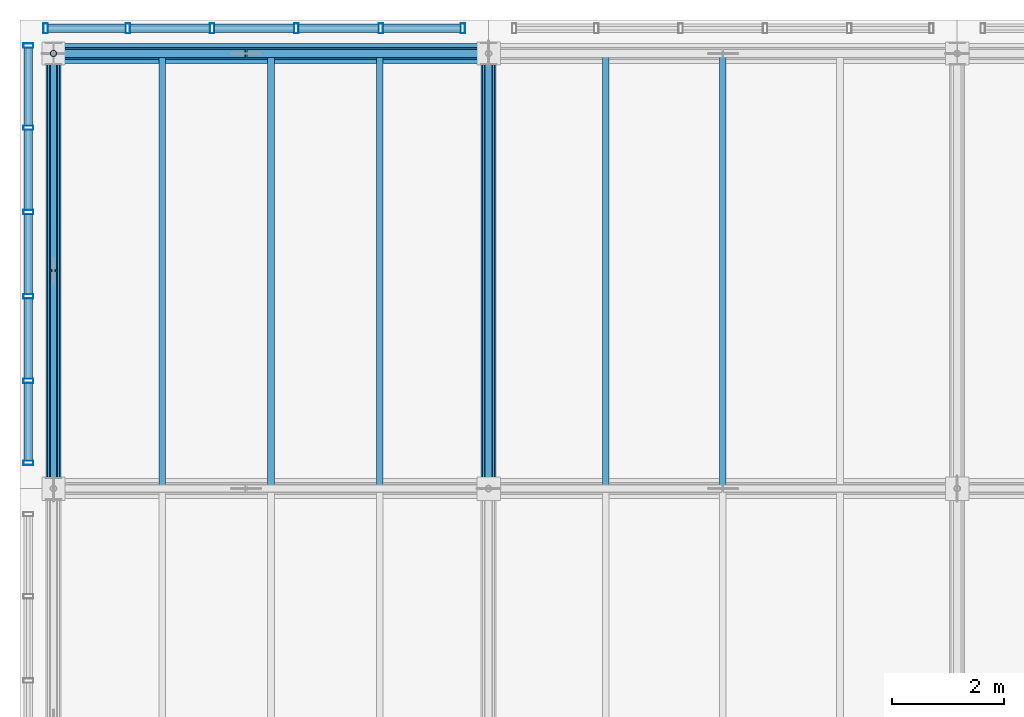
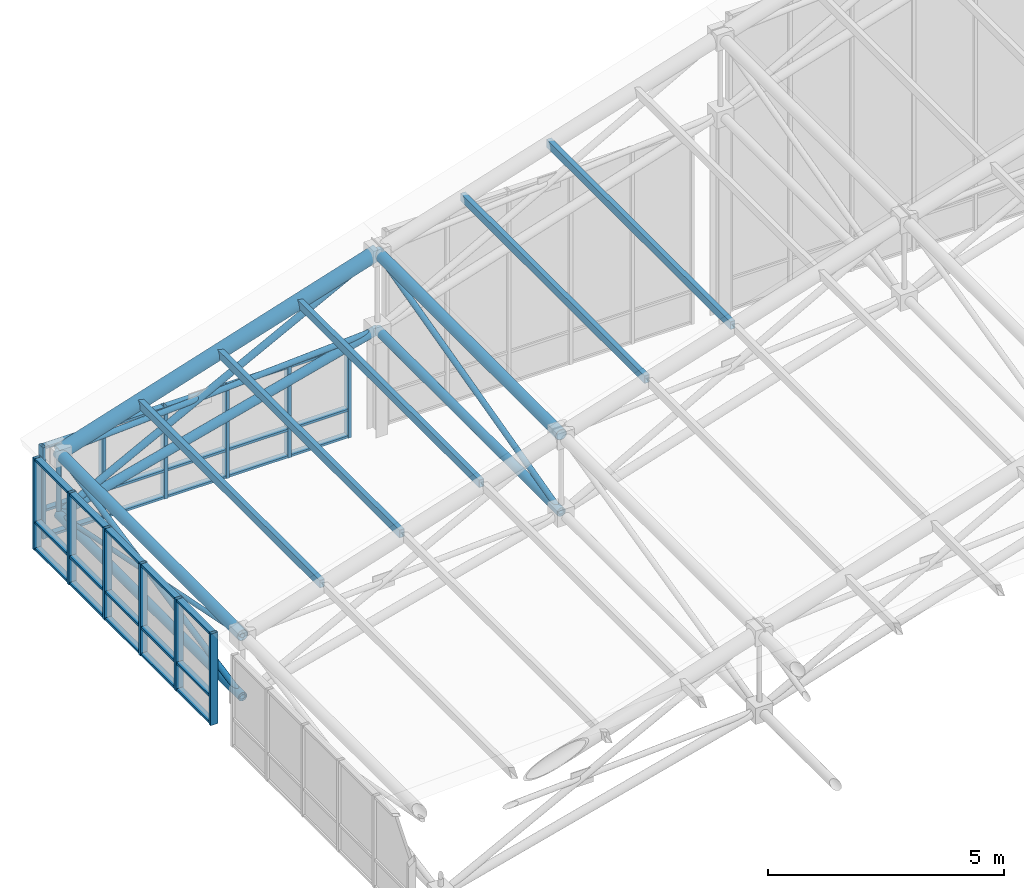
# One storey, part 63 of 144: 61 members, 2 elements without a shape of their own.
"""IFC4 building model written with IfcOpenShell, lengths in metres."""

import ifcopenshell
import ifcopenshell.guid

model = None  # the IFC model being written
_history = None  # IfcOwnerHistory: only IFC2X3 demands one
_inside = {}  # id of a spatial element -> (the spatial element, [elements in it])
_under = {}  # id of a project, library or spatial element -> (it, [spatial elements below it])
_declared = {}  # id of a project -> (the project, [libraries it declares])
_typed = {}  # id of a type object -> (the type object, [elements of that type])
_made_of = {}  # id of a material, layer set ... -> (it, [elements and type objects made of it])


def new_model(schema):
    """Start an empty IFC model of exactly this schema.

    Asked for "IFC4X3", IfcOpenShell would pick the latest addendum, in which some entities
    have other attributes; the version numbers below select the first issue.
    IFC2X3 requires an IfcOwnerHistory on every rooted entity: one is made here for all.
    """
    global model, _history
    if schema == "IFC4X3":
        model = ifcopenshell.file(schema_version=(4, 3, 0, 0))
    else:
        model = ifcopenshell.file(schema=schema)
    _inside.clear()
    _under.clear()
    _declared.clear()
    _typed.clear()
    _made_of.clear()
    _history = None
    if model.schema == "IFC2X3":
        org = make("IfcOrganization", Name="unknown")
        user = make(
            "IfcPersonAndOrganization",
            ThePerson=make("IfcPerson", FamilyName="unknown"),
            TheOrganization=org,
        )
        app = make(
            "IfcApplication",
            ApplicationDeveloper=org,
            Version="unknown",
            ApplicationFullName="unknown",
            ApplicationIdentifier="unknown",
        )
        _history = make(
            "IfcOwnerHistory",
            OwningUser=user,
            OwningApplication=app,
            ChangeAction="ADDED",
            CreationDate=0,
        )
    return model


def make(cls, **values):
    """One entity of the class cls with the attributes given. An attribute that is None is left unset."""
    return model.create_entity(
        cls, **{name: value for name, value in values.items() if value is not None}
    )


def rooted(cls, **values):
    """An entity with a GlobalId (a new one), such as an element, a storey or a relation."""
    return make(cls, GlobalId=ifcopenshell.guid.new(), OwnerHistory=_history, **values)


def si_unit(unit_type, name, prefix=None):
    """IfcSIUnit, for example si_unit("LENGTHUNIT", "METRE", prefix="MILLI")."""
    return make("IfcSIUnit", UnitType=unit_type, Prefix=prefix, Name=name)


def assignment(units):
    """IfcUnitAssignment: the units of a project."""
    return None if units is None else make("IfcUnitAssignment", Units=units)


def point(xyz):
    """IfcCartesianPoint."""
    return None if xyz is None else make("IfcCartesianPoint", Coordinates=xyz)


def direction(xyz):
    """IfcDirection."""
    return None if xyz is None else make("IfcDirection", DirectionRatios=xyz)


def frame(location, z_axis=None, x_axis=None):
    """IfcAxis2Placement3D, a coordinate frame: its origin and axes. An axis left out is left unset."""
    return make(
        "IfcAxis2Placement3D",
        Location=point(location),
        Axis=direction(z_axis),
        RefDirection=direction(x_axis),
    )


def frame_2d(location, x_axis=None):
    """IfcAxis2Placement2D, a coordinate frame in the plane: its origin and x axis."""
    return make(
        "IfcAxis2Placement2D", Location=point(location), RefDirection=direction(x_axis)
    )


def origin():
    """The frame at (0, 0, 0) with its axes left unset."""
    return frame((0.0, 0.0, 0.0))


def origin_2d():
    """The frame at (0, 0) in the plane with its x axis left unset."""
    return frame_2d((0.0, 0.0))


def place(relative_to, where):
    """IfcLocalPlacement: puts the frame where relative to a parent placement (None: the world)."""
    return make(
        "IfcLocalPlacement", PlacementRelTo=relative_to, RelativePlacement=where
    )


def context(
    kind, dimensions, precision=None, world=None, true_north=None, identifier=None
):
    """IfcGeometricRepresentationContext, for example the 3D "Model" context."""
    return make(
        "IfcGeometricRepresentationContext",
        ContextIdentifier=identifier,
        ContextType=kind,
        CoordinateSpaceDimension=dimensions,
        Precision=precision,
        WorldCoordinateSystem=world,
        TrueNorth=true_north,
    )


def subcontext(parent, identifier, kind, view, scale=None):
    """IfcGeometricRepresentationSubContext, for example "Body" below "Model"."""
    return make(
        "IfcGeometricRepresentationSubContext",
        ContextIdentifier=identifier,
        ContextType=kind,
        ParentContext=parent,
        TargetScale=scale,
        TargetView=view,
    )


def project(units=None, contexts=None):
    """IfcProject with its units and contexts."""
    return rooted(
        "IfcProject",
        Name="project",
        RepresentationContexts=contexts,
        UnitsInContext=assignment(units),
    )


def spatial(cls, under=None, at=None, **own):
    """A site, building, storey or space (cls), placed at a placement, below another one or the project."""
    s = rooted(cls, ObjectPlacement=at, **own)
    if under is not None:
        _under.setdefault(under.id(), (under, []))[1].append(s)
    return s


def profile(cls, at=None, kind="AREA", **sizes):
    """A parametric profile (cls). Its sizes go by their IFC names, for example OverallWidth=200.0."""
    return make(cls, ProfileType=kind, Position=at, **sizes)


def hollow_rectangle(**sizes):
    """IfcRectangleHollowProfileDef."""
    return profile("IfcRectangleHollowProfileDef", **sizes)


def hollow_circle(**sizes):
    """IfcCircleHollowProfileDef."""
    return profile("IfcCircleHollowProfileDef", **sizes)


def extrude(swept, where, along, depth):
    """IfcExtrudedAreaSolid: the profile swept, set in the frame where, extruded along a direction by depth."""
    return make(
        "IfcExtrudedAreaSolid",
        SweptArea=swept,
        Position=where,
        ExtrudedDirection=direction(along),
        Depth=depth,
    )


def shape(context_of_items, identifier, shape_type, items):
    """IfcShapeRepresentation: the items that make up one representation, for example the "Body"."""
    return make(
        "IfcShapeRepresentation",
        ContextOfItems=context_of_items,
        RepresentationIdentifier=identifier,
        RepresentationType=shape_type,
        Items=items,
    )


def material(Name=None, Category=None):
    """IfcMaterial."""
    return make("IfcMaterial", Name=Name, Category=Category)


def layer(
    of_material, thickness, ventilated=None, Name=None, Category=None, Priority=None
):
    """IfcMaterialLayer: one layer of a wall or slab, of a material (None: an air gap)."""
    return make(
        "IfcMaterialLayer",
        Material=of_material,
        LayerThickness=thickness,
        IsVentilated=ventilated,
        Name=Name,
        Category=Category,
        Priority=Priority,
    )


def layer_set(layers, Name=None):
    """IfcMaterialLayerSet."""
    return make("IfcMaterialLayerSet", MaterialLayers=layers, LayerSetName=Name)


def material_profile(
    of_material, cross_section, Name=None, Category=None, Priority=None
):
    """IfcMaterialProfile: a cross section and its material."""
    return make(
        "IfcMaterialProfile",
        Name=Name,
        Material=of_material,
        Profile=cross_section,
        Priority=Priority,
        Category=Category,
    )


def profile_set(profiles, Name=None, composite=None):
    """IfcMaterialProfileSet."""
    return make(
        "IfcMaterialProfileSet",
        Name=Name,
        MaterialProfiles=profiles,
        CompositeProfile=composite,
    )


def made_of(thing, what):
    """Note that an element or type object is made of a material, layer set ...; save() writes the relation."""
    if what is not None:
        _made_of.setdefault(what.id(), (what, []))[1].append(thing)
    return thing


def type_object(cls, material=None, **own):
    """A type object (cls), such as IfcWallType, which elements share."""
    return made_of(rooted(cls, **own), material)


def element(
    cls,
    number,
    at=None,
    inside=None,
    cuts=None,
    type_object=None,
    material=None,
    context=None,
    identifier="Body",
    shape_type=None,
    held_by="IfcProductDefinitionShape",
    body=None,
    shapes=None,
    **own,
):
    """One element of the class cls, such as IfcWall. Its Tag is "e" and its number.

    at: its placement. inside: the storey or other place that contains it. cuts: it is an
    opening in that element (IfcRelVoidsElement). A single representation is given by context,
    identifier, shape_type and body (its items); several are given by shapes. held_by: the class
    of the entity that holds the representations. save() writes the other relations.
    """
    e = rooted(cls, Tag="e%d" % number, ObjectPlacement=at, **own)
    if body is not None:
        shapes = [shape(context, identifier, shape_type, body)]
    if shapes is not None:
        e.Representation = make(held_by, Representations=shapes)
    if inside is not None:
        _inside.setdefault(inside.id(), (inside, []))[1].append(e)
    if cuts is not None:
        rooted(
            "IfcRelVoidsElement", RelatingBuildingElement=cuts, RelatedOpeningElement=e
        )
    if type_object is not None:
        _typed.setdefault(type_object.id(), (type_object, []))[1].append(e)
    return made_of(e, material)


def aggregate(whole, parts):
    """IfcRelAggregates: a whole, such as a stair, and the parts it consists of."""
    return rooted("IfcRelAggregates", RelatingObject=whole, RelatedObjects=parts)


def save(model, path):
    """Write the relations noted so far, then the file.

    IfcRelAggregates (storeys below a building ...), IfcRelContainedInSpatialStructure (elements
    in a storey), IfcRelDefinesByType, IfcRelAssociatesMaterial and IfcRelDeclares: one each for
    every whole, place, type object, material and project.
    """
    for whole, parts in _under.values():
        aggregate(whole, parts)
    for where, things in _inside.values():
        rooted(
            "IfcRelContainedInSpatialStructure",
            RelatedElements=things,
            RelatingStructure=where,
        )
    for kind, things in _typed.values():
        rooted("IfcRelDefinesByType", RelatedObjects=things, RelatingType=kind)
    for what, things in _made_of.values():
        rooted("IfcRelAssociatesMaterial", RelatedObjects=things, RelatingMaterial=what)
    for by, libraries in _declared.values():
        rooted("IfcRelDeclares", RelatingContext=by, RelatedDefinitions=libraries)
    model.write(path)


model = new_model("IFC4")

# Units and contexts
model_context = context("Model", 3, precision=1e-05, world=origin(), true_north=direction((0.0, 1.0)))
body_context = subcontext(model_context, "Body", "Model", "MODEL_VIEW")
ifc_project = project(units=[si_unit("LENGTHUNIT", "METRE"), si_unit("AREAUNIT", "SQUARE_METRE"), si_unit("VOLUMEUNIT", "CUBIC_METRE"), si_unit("PLANEANGLEUNIT", "RADIAN"), si_unit("MASSUNIT", "GRAM", prefix="KILO")], contexts=[model_context])

# Site, building, storey
site_placement = place(None, origin())
site = spatial("IfcSite", under=ifc_project, at=site_placement, CompositionType="ELEMENT")
building_placement = place(site_placement, origin())
building = spatial("IfcBuilding", under=site, at=building_placement, Name="Zayran Congress Hotel", CompositionType="ELEMENT")
storey_placement = place(building_placement, frame((0.0, 0.0, 19.199951171875)))
storey = spatial("IfcBuildingStorey", under=building, at=storey_placement, Name="L04", CompositionType="ELEMENT", Elevation=19.199951171875)

# Members
ifc_material_1 = material(Name="Steel S355", Category="steel")
ifc_material_profile_1 = material_profile(ifc_material_1, hollow_circle(Radius=0.177734375, WallThickness=0.01611328125, at=origin_2d()), Name="CHS 355.6x16")
ifc_profile_set_1 = profile_set([ifc_material_profile_1], Name="Steel S355")
member_type_1 = type_object("IfcMemberType", Name="TP-SF-TC1", PredefinedType="CHORD", material=ifc_profile_set_1)
member_1_placement = place(storey_placement, frame((9.0, 117.39990234375, 2.19140625), z_axis=(0.953669693314, 0.0, 0.300855639892), x_axis=(0.0, 1.0, 0.0)))
element("IfcMember", 1, at=member_1_placement, inside=storey, type_object=member_type_1, Name="Space Frame Top Chord X 55", PredefinedType="CHORD", context=body_context, shape_type="SweptSolid", body=[
    extrude(hollow_circle(Radius=0.177734375, WallThickness=0.01611328125, at=origin_2d()), origin(), (0.0, 0.0, 1.0), 8.178955078125),
])
ifc_material_profile_2 = material_profile(ifc_material_1, hollow_circle(Radius=0.136474609375, WallThickness=0.012451171875, at=origin_2d()), Name="CHS 273x12.5")
ifc_profile_set_2 = profile_set([ifc_material_profile_2], Name="Steel S355")
member_type_2 = type_object("IfcMemberType", Name="TP-SF-TC2", PredefinedType="CHORD", material=ifc_profile_set_2)
for number, where, z_axis, x_axis, name in (
    (2, (9.0, 109.60009765625, 2.19140625), (0.0, 1.0, 0.0), (-1.0, 0.0, 0.0), "Space Frame Top Chord Y 50"),
    (3, (16.800048828125, 109.60009765625, 4.652099609375), (0.0, 1.0, 0.0), (-1.0, 0.0, 0.0), "Space Frame Top Chord Y 104"),
):
    element("IfcMember", number, at=place(storey_placement, frame(where, z_axis=z_axis, x_axis=x_axis)), inside=storey, type_object=member_type_2, Name=name, PredefinedType="CHORD", context=body_context, shape_type="SweptSolid", body=[
        extrude(hollow_circle(Radius=0.136474609375, WallThickness=0.012451171875, at=origin_2d()), origin(), (0.0, 0.0, 1.0), 7.7998046875),
    ])
ifc_material_profile_3 = material_profile(ifc_material_1, hollow_circle(Radius=0.109619140625, WallThickness=0.010009765625, at=origin_2d()), Name="CHS 219.1x10")
ifc_profile_set_3 = profile_set([ifc_material_profile_3], Name="Steel S355")
member_type_3 = type_object("IfcMemberType", Name="TP-SF-BC1", PredefinedType="CHORD", material=ifc_profile_set_3)
member_2_placement = place(storey_placement, frame((9.0, 109.60009765625, 0.60009765625), z_axis=(0.0, 1.0, 0.0), x_axis=(-1.0, 0.0, 0.0)))
element("IfcMember", 4, at=member_2_placement, inside=storey, type_object=member_type_3, Name="Space Frame Bottom Chord Y 51", PredefinedType="CHORD", context=body_context, shape_type="SweptSolid", body=[
    extrude(hollow_circle(Radius=0.109619140625, WallThickness=0.010009765625, at=origin_2d()), origin(), (0.0, 0.0, 1.0), 7.7998046875),
])
member_3_placement = place(storey_placement, frame((9.0, 117.39990234375, 0.60009765625), z_axis=(0.967153699015, 0.0, 0.254192294301), x_axis=(0.0, 1.0, 0.0)))
element("IfcMember", 5, at=member_3_placement, inside=storey, type_object=member_type_3, Name="Space Frame Bottom Chord X 56", PredefinedType="CHORD", context=body_context, shape_type="SweptSolid", body=[
    extrude(hollow_circle(Radius=0.109619140625, WallThickness=0.010009765625, at=origin_2d()), origin(), (0.0, 0.0, 1.0), 8.06494140625),
])
member_4_placement = place(storey_placement, frame((16.800048828125, 109.60009765625, 2.650146484375), z_axis=(0.0, 1.0, 0.0), x_axis=(-1.0, 0.0, 0.0)))
element("IfcMember", 6, at=member_4_placement, inside=storey, type_object=member_type_3, Name="Space Frame Bottom Chord Y 105", PredefinedType="CHORD", context=body_context, shape_type="SweptSolid", body=[
    extrude(hollow_circle(Radius=0.109619140625, WallThickness=0.010009765625, at=origin_2d()), origin(), (0.0, 0.0, 1.0), 7.7998046875),
])
ifc_material_profile_4 = material_profile(ifc_material_1, hollow_circle(Radius=0.084228515625, WallThickness=0.008056640625, at=origin_2d()), Name="CHS 168.3x8")
ifc_profile_set_4 = profile_set([ifc_material_profile_4], Name="Steel S355")
member_type_4 = type_object("IfcMemberType", Name="TP-SF-DG1", PredefinedType="BRACE", material=ifc_profile_set_4)
member_5_placement = place(storey_placement, frame((9.0, 117.39990234375, 0.60009765625), z_axis=(0.887404091239, 0.0, 0.46099238481), x_axis=(0.0, 1.0, 0.0)))
element("IfcMember", 7, at=member_5_placement, inside=storey, type_object=member_type_4, Name="Space Frame Web Diagonal X 57", PredefinedType="BRACE", context=body_context, shape_type="SweptSolid", body=[
    extrude(hollow_circle(Radius=0.084228515625, WallThickness=0.008056640625, at=origin_2d()), origin(), (0.0, 0.0, 1.0), 8.789794921875),
])
ifc_material_profile_5 = material_profile(ifc_material_1, hollow_circle(Radius=0.06982421875, WallThickness=0.00634765625, at=origin_2d()), Name="CHS 139.7x6.3")
ifc_profile_set_5 = profile_set([ifc_material_profile_5], Name="Steel S355")
member_type_5 = type_object("IfcMemberType", Name="TP-SF-DG2", PredefinedType="BRACE", material=ifc_profile_set_5)
member_6_placement = place(storey_placement, frame((9.0, 109.60009765625, 0.60009765625), z_axis=(0.0, 0.979816074487, 0.199901126002), x_axis=(-1.0, 0.0, 0.0)))
element("IfcMember", 8, at=member_6_placement, inside=storey, type_object=member_type_5, Name="Space Frame Web Diagonal Y 52", PredefinedType="BRACE", context=body_context, shape_type="SweptSolid", body=[
    extrude(hollow_circle(Radius=0.06982421875, WallThickness=0.00634765625, at=origin_2d()), origin(), (0.0, 0.0, 1.0), 7.96044921875),
])
member_7_placement = place(storey_placement, frame((9.0, 117.39990234375, 2.19140625), z_axis=(0.998277060117, 0.0, 0.0586763261), x_axis=(0.0, 1.0, 0.0)))
element("IfcMember", 9, at=member_7_placement, inside=storey, type_object=member_type_5, Name="Space Frame Counter Diagonal X Upper 58", PredefinedType="BRACE", context=body_context, shape_type="SweptSolid", body=[
    extrude(hollow_circle(Radius=0.06982421875, WallThickness=0.00634765625, at=origin_2d()), origin(), (0.0, 0.0, 1.0), 3.445068359375),
])
member_8_placement = place(storey_placement, frame((12.46923828125, 117.39990234375, 2.395263671875), z_axis=(0.99827262625, 0.0, 0.058751712149), x_axis=(0.0, 1.0, 0.0)))
element("IfcMember", 10, at=member_8_placement, inside=storey, type_object=member_type_5, Name="Space Frame Counter Diagonal X Lower 13", PredefinedType="BRACE", context=body_context, shape_type="SweptSolid", body=[
    extrude(hollow_circle(Radius=0.06982421875, WallThickness=0.00634765625, at=origin_2d()), origin(), (0.0, 0.0, 1.0), 4.33837890625),
])
member_9_placement = place(storey_placement, frame((16.800048828125, 109.60009765625, 2.650146484375), z_axis=(0.0, 0.968603987179, 0.248608760951), x_axis=(-1.0, 0.0, 0.0)))
element("IfcMember", 11, at=member_9_placement, inside=storey, type_object=member_type_5, Name="Space Frame Web Diagonal Y 106", PredefinedType="BRACE", context=body_context, shape_type="SweptSolid", body=[
    extrude(hollow_circle(Radius=0.06982421875, WallThickness=0.00634765625, at=origin_2d()), origin(), (0.0, 0.0, 1.0), 8.052734375),
])
ifc_material_profile_6 = material_profile(ifc_material_1, hollow_circle(Radius=0.05712890625, WallThickness=0.00634765625, at=origin_2d()), Name="CHS 114.3x6.3")
ifc_profile_set_6 = profile_set([ifc_material_profile_6], Name="Steel S355")
member_type_6 = type_object("IfcMemberType", Name="TP-SF-DG3", PredefinedType="BRACE", material=ifc_profile_set_6)
for number, where, z_axis, x_axis, name in (
    (12, (9.0, 109.60009765625, 2.19140625), (0.0, 0.979813166371, -0.199915379616), (-1.0, 0.0, 0.0), "Space Frame Bracing Diagonal Y Upper 53"),
    (13, (9.0, 113.5146484375, 1.392822265625), (0.0, 0.979813166371, -0.199915379616), (-1.0, 0.0, 0.0), "Space Frame Bracing Diagonal Y Lower 12"),
):
    element("IfcMember", number, at=place(storey_placement, frame(where, z_axis=z_axis, x_axis=x_axis)), inside=storey, type_object=member_type_6, Name=name, PredefinedType="BRACE", context=body_context, shape_type="SweptSolid", body=[
        extrude(hollow_circle(Radius=0.05712890625, WallThickness=0.00634765625, at=origin_2d()), origin(), (0.0, 0.0, 1.0), 3.96533203125),
    ])
member_10_placement = place(storey_placement, frame((9.0, 117.39990234375, 0.60009765625), z_axis=(0.0, 0.0, 1.0), x_axis=(0.0, 1.0, 0.0)))
element("IfcMember", 14, at=member_10_placement, inside=storey, type_object=member_type_6, Name="Space Frame Web Strut 59", PredefinedType="BRACE", context=body_context, shape_type="SweptSolid", body=[
    extrude(hollow_circle(Radius=0.05712890625, WallThickness=0.00634765625, at=origin_2d()), origin(), (0.0, 0.0, 1.0), 1.59130859375),
])
ifc_material_profile_7 = material_profile(ifc_material_1, hollow_rectangle(XDim=0.1201171875, YDim=0.199951171875, WallThickness=0.008056640625, at=origin_2d()), Name="RHS 200x120x8")
ifc_profile_set_7 = profile_set([ifc_material_profile_7], Name="Steel S355")
member_type_7 = type_object("IfcMemberType", Name="TP-PR-01", PredefinedType="PURLIN", material=ifc_profile_set_7)
for number, where, z_axis, x_axis, name in (
    (15, (10.949951171875, 109.60009765625, 2.8486328125), (0.0, 1.0, 0.0), (-1.0, 0.0, 0.0), "MEM-PR-V1-0006"),
    (16, (12.89990234375, 109.60009765625, 3.4638671875), (0.0, 1.0, 0.0), (-1.0, 0.0, 0.0), "MEM-PR-V1-0012"),
    (17, (14.85009765625, 109.60009765625, 4.078857421875), (0.0, 1.0, 0.0), (-1.0, 0.0, 0.0), "MEM-PR-V1-0018"),
    (18, (18.89990234375, 109.60009765625, 5.3564453125), (0.0, 1.0, 0.0), (-1.0, 0.0, 0.0), "MEM-PR-V1-0024"),
    (19, (21.0, 109.60009765625, 6.01904296875), (0.0, 1.0, 0.0), (-1.0, 0.0, 0.0), "MEM-PR-V1-0030"),
):
    element("IfcMember", number, at=place(storey_placement, frame(where, z_axis=z_axis, x_axis=x_axis)), inside=storey, type_object=member_type_7, Name=name, PredefinedType="PURLIN", context=body_context, shape_type="SweptSolid", body=[
        extrude(hollow_rectangle(XDim=0.1201171875, YDim=0.199951171875, WallThickness=0.008056640625, at=origin_2d()), origin(), (0.0, 0.0, 1.0), 7.7998046875),
    ])

# Curtain wall, members
ifc_material_2 = material(Name="Anodised aluminium and low-E insulated glass", Category="aluminium")
ifc_layer_1 = layer(ifc_material_2, 0.179931640625)
ifc_layer_set_1 = layer_set([ifc_layer_1], Name="Anodised aluminium and low-E insulated glass")
curtain_wall_type_1 = type_object("IfcCurtainWallType", Name="CW-V1CL-L04-CW-31-7560-2370", PredefinedType="USERDEFINED", material=ifc_layer_set_1)
curtain_wall_1_placement = place(storey_placement, origin())
curtain_wall_1 = element("IfcCurtainWall", 20, at=curtain_wall_1_placement, inside=storey, type_object=curtain_wall_type_1, Name="CW-V1CLW-5", ObjectType="CURTAIN WALL", PredefinedType="USERDEFINED")
ifc_material_3 = material(Name="Anodised aluminium framing", Category="aluminium")
ifc_material_profile_8 = material_profile(ifc_material_3, hollow_rectangle(XDim=0.080078125, YDim=0.179931640625, WallThickness=0.0048828125, at=origin_2d()), Name="RHS 180x80x5")
ifc_profile_set_8 = profile_set([ifc_material_profile_8], Name="Anodised aluminium framing")
member_type_8 = type_object("IfcMemberType", Name="TP-CWM-01", PredefinedType="MULLION", material=ifc_profile_set_8)
member_11_placement = place(storey_placement, frame((8.550048828125, 117.5400390625, -0.219970703125), z_axis=(0.0, 0.0, 1.0), x_axis=(0.0, 1.0, 0.0)))
member_11 = element("IfcMember", 21, at=member_11_placement, type_object=member_type_8, Name="CW-V1CLW-5-M00", PredefinedType="MULLION", context=body_context, shape_type="SweptSolid", body=[
    extrude(hollow_rectangle(XDim=0.080078125, YDim=0.179931640625, WallThickness=0.0048828125, at=origin_2d()), origin(), (0.0, 0.0, 1.0), 2.3701171875),
])
member_12_placement = place(storey_placement, frame((8.550048828125, 116.068115234375, -0.219970703125), z_axis=(0.0, 0.0, 1.0), x_axis=(0.0, 1.0, 0.0)))
member_12 = element("IfcMember", 22, at=member_12_placement, type_object=member_type_8, Name="CW-V1CLW-5-M01", PredefinedType="MULLION", context=body_context, shape_type="SweptSolid", body=[
    extrude(hollow_rectangle(XDim=0.080078125, YDim=0.179931640625, WallThickness=0.0048828125, at=origin_2d()), origin(), (0.0, 0.0, 1.0), 2.3701171875),
])
member_13_placement = place(storey_placement, frame((8.550048828125, 114.555908203125, -0.219970703125), z_axis=(0.0, 0.0, 1.0), x_axis=(0.0, 1.0, 0.0)))
member_13 = element("IfcMember", 23, at=member_13_placement, type_object=member_type_8, Name="CW-V1CLW-5-M02", PredefinedType="MULLION", context=body_context, shape_type="SweptSolid", body=[
    extrude(hollow_rectangle(XDim=0.080078125, YDim=0.179931640625, WallThickness=0.0048828125, at=origin_2d()), origin(), (0.0, 0.0, 1.0), 2.3701171875),
])
member_14_placement = place(storey_placement, frame((8.550048828125, 113.0439453125, -0.219970703125), z_axis=(0.0, 0.0, 1.0), x_axis=(0.0, 1.0, 0.0)))
member_14 = element("IfcMember", 24, at=member_14_placement, type_object=member_type_8, Name="CW-V1CLW-5-M03", PredefinedType="MULLION", context=body_context, shape_type="SweptSolid", body=[
    extrude(hollow_rectangle(XDim=0.080078125, YDim=0.179931640625, WallThickness=0.0048828125, at=origin_2d()), origin(), (0.0, 0.0, 1.0), 2.3701171875),
])
member_15_placement = place(storey_placement, frame((8.550048828125, 111.531982421875, -0.219970703125), z_axis=(0.0, 0.0, 1.0), x_axis=(0.0, 1.0, 0.0)))
member_15 = element("IfcMember", 25, at=member_15_placement, type_object=member_type_8, Name="CW-V1CLW-5-M04", PredefinedType="MULLION", context=body_context, shape_type="SweptSolid", body=[
    extrude(hollow_rectangle(XDim=0.080078125, YDim=0.179931640625, WallThickness=0.0048828125, at=origin_2d()), origin(), (0.0, 0.0, 1.0), 2.3701171875),
])
member_16_placement = place(storey_placement, frame((8.550048828125, 110.06005859375, -0.219970703125), z_axis=(0.0, 0.0, 1.0), x_axis=(0.0, 1.0, 0.0)))
member_16 = element("IfcMember", 26, at=member_16_placement, type_object=member_type_8, Name="CW-V1CLW-5-M05", PredefinedType="MULLION", context=body_context, shape_type="SweptSolid", body=[
    extrude(hollow_rectangle(XDim=0.080078125, YDim=0.179931640625, WallThickness=0.0048828125, at=origin_2d()), origin(), (0.0, 0.0, 1.0), 2.3701171875),
])

ifc_layer_2 = layer(ifc_material_2, 0.179931640625)
ifc_layer_set_2 = layer_set([ifc_layer_2], Name="Anodised aluminium and low-E insulated glass")
curtain_wall_type_2 = type_object("IfcCurtainWallType", Name="CW-V1CL-L04-CW-21-7560-2370", PredefinedType="USERDEFINED", material=ifc_layer_set_2)
curtain_wall_2_placement = place(storey_placement, origin())
curtain_wall_2 = element("IfcCurtainWall", 27, at=curtain_wall_2_placement, inside=storey, type_object=curtain_wall_type_2, Name="CW-V1CLN-0", ObjectType="CURTAIN WALL", PredefinedType="USERDEFINED")
member_17_placement = place(storey_placement, frame((16.340087890625, 117.85009765625, -0.219970703125), z_axis=(0.0, 0.0, 1.0), x_axis=(1.0, 0.0, 0.0)))
member_17 = element("IfcMember", 28, at=member_17_placement, type_object=member_type_8, Name="CW-V1CLN-0-M00", PredefinedType="MULLION", context=body_context, shape_type="SweptSolid", body=[
    extrude(hollow_rectangle(XDim=0.080078125, YDim=0.179931640625, WallThickness=0.0048828125, at=origin_2d()), origin(), (0.0, 0.0, 1.0), 2.3701171875),
])
member_18_placement = place(storey_placement, frame((14.867919921875, 117.85009765625, -0.219970703125), z_axis=(0.0, 0.0, 1.0), x_axis=(1.0, 0.0, 0.0)))
member_18 = element("IfcMember", 29, at=member_18_placement, type_object=member_type_8, Name="CW-V1CLN-0-M01", PredefinedType="MULLION", context=body_context, shape_type="SweptSolid", body=[
    extrude(hollow_rectangle(XDim=0.080078125, YDim=0.179931640625, WallThickness=0.0048828125, at=origin_2d()), origin(), (0.0, 0.0, 1.0), 2.3701171875),
])
member_19_placement = place(storey_placement, frame((13.35595703125, 117.85009765625, -0.219970703125), z_axis=(0.0, 0.0, 1.0), x_axis=(1.0, 0.0, 0.0)))
member_19 = element("IfcMember", 30, at=member_19_placement, type_object=member_type_8, Name="CW-V1CLN-0-M02", PredefinedType="MULLION", context=body_context, shape_type="SweptSolid", body=[
    extrude(hollow_rectangle(XDim=0.080078125, YDim=0.179931640625, WallThickness=0.0048828125, at=origin_2d()), origin(), (0.0, 0.0, 1.0), 2.3701171875),
])
member_20_placement = place(storey_placement, frame((11.843994140625, 117.85009765625, -0.219970703125), z_axis=(0.0, 0.0, 1.0), x_axis=(1.0, 0.0, 0.0)))
member_20 = element("IfcMember", 31, at=member_20_placement, type_object=member_type_8, Name="CW-V1CLN-0-M03", PredefinedType="MULLION", context=body_context, shape_type="SweptSolid", body=[
    extrude(hollow_rectangle(XDim=0.080078125, YDim=0.179931640625, WallThickness=0.0048828125, at=origin_2d()), origin(), (0.0, 0.0, 1.0), 2.3701171875),
])
member_21_placement = place(storey_placement, frame((10.33203125, 117.85009765625, -0.219970703125), z_axis=(0.0, 0.0, 1.0), x_axis=(1.0, 0.0, 0.0)))
member_21 = element("IfcMember", 32, at=member_21_placement, type_object=member_type_8, Name="CW-V1CLN-0-M04", PredefinedType="MULLION", context=body_context, shape_type="SweptSolid", body=[
    extrude(hollow_rectangle(XDim=0.080078125, YDim=0.179931640625, WallThickness=0.0048828125, at=origin_2d()), origin(), (0.0, 0.0, 1.0), 2.3701171875),
])
member_22_placement = place(storey_placement, frame((8.860107421875, 117.85009765625, -0.219970703125), z_axis=(0.0, 0.0, 1.0), x_axis=(1.0, 0.0, 0.0)))
member_22 = element("IfcMember", 33, at=member_22_placement, type_object=member_type_8, Name="CW-V1CLN-0-M05", PredefinedType="MULLION", context=body_context, shape_type="SweptSolid", body=[
    extrude(hollow_rectangle(XDim=0.080078125, YDim=0.179931640625, WallThickness=0.0048828125, at=origin_2d()), origin(), (0.0, 0.0, 1.0), 2.3701171875),
])

# Member
ifc_material_profile_9 = material_profile(ifc_material_3, hollow_rectangle(XDim=0.06005859375, YDim=0.14990234375, WallThickness=0.00390625, at=origin_2d()), Name="RHS 150x60x4")
ifc_profile_set_9 = profile_set([ifc_material_profile_9], Name="Anodised aluminium framing")
member_type_9 = type_object("IfcMemberType", Name="TP-CWT-01", PredefinedType="USERDEFINED", material=ifc_profile_set_9)
member_23_placement = place(storey_placement, frame((8.550048828125, 117.5, -0.18994140625), z_axis=(0.0, -1.0, 0.0), x_axis=(0.0, 0.0, 1.0)))
member_23 = element("IfcMember", 34, at=member_23_placement, type_object=member_type_9, Name="CW-V1CLW-5-T00-0", ObjectType="TRANSOM", PredefinedType="USERDEFINED", context=body_context, shape_type="SweptSolid", body=[
    extrude(hollow_rectangle(XDim=0.06005859375, YDim=0.14990234375, WallThickness=0.00390625, at=origin_2d()), origin(), (0.0, 0.0, 1.0), 1.39208984375),
])

member_24_placement = place(storey_placement, frame((8.550048828125, 117.5, 0.5), z_axis=(0.0, -1.0, 0.0), x_axis=(0.0, 0.0, 1.0)))
member_24 = element("IfcMember", 35, at=member_24_placement, type_object=member_type_9, Name="CW-V1CLW-5-T00-1", ObjectType="TRANSOM", PredefinedType="USERDEFINED", context=body_context, shape_type="SweptSolid", body=[
    extrude(hollow_rectangle(XDim=0.06005859375, YDim=0.14990234375, WallThickness=0.00390625, at=origin_2d()), origin(), (0.0, 0.0, 1.0), 1.39208984375),
])

member_25_placement = place(storey_placement, frame((8.550048828125, 117.5, 2.1201171875), z_axis=(0.0, -1.0, 0.0), x_axis=(0.0, 0.0, 1.0)))
member_25 = element("IfcMember", 36, at=member_25_placement, type_object=member_type_9, Name="CW-V1CLW-5-T00-2", ObjectType="TRANSOM", PredefinedType="USERDEFINED", context=body_context, shape_type="SweptSolid", body=[
    extrude(hollow_rectangle(XDim=0.06005859375, YDim=0.14990234375, WallThickness=0.00390625, at=origin_2d()), origin(), (0.0, 0.0, 1.0), 1.39208984375),
])

member_26_placement = place(storey_placement, frame((8.550048828125, 116.028076171875, -0.18994140625), z_axis=(0.0, -1.0, 0.0), x_axis=(0.0, 0.0, 1.0)))
member_26 = element("IfcMember", 37, at=member_26_placement, type_object=member_type_9, Name="CW-V1CLW-5-T01-0", ObjectType="TRANSOM", PredefinedType="USERDEFINED", context=body_context, shape_type="SweptSolid", body=[
    extrude(hollow_rectangle(XDim=0.06005859375, YDim=0.14990234375, WallThickness=0.00390625, at=origin_2d()), origin(), (0.0, 0.0, 1.0), 1.43212890625),
])

member_27_placement = place(storey_placement, frame((8.550048828125, 116.028076171875, 0.5), z_axis=(0.0, -1.0, 0.0), x_axis=(0.0, 0.0, 1.0)))
member_27 = element("IfcMember", 38, at=member_27_placement, type_object=member_type_9, Name="CW-V1CLW-5-T01-1", ObjectType="TRANSOM", PredefinedType="USERDEFINED", context=body_context, shape_type="SweptSolid", body=[
    extrude(hollow_rectangle(XDim=0.06005859375, YDim=0.14990234375, WallThickness=0.00390625, at=origin_2d()), origin(), (0.0, 0.0, 1.0), 1.43212890625),
])

member_28_placement = place(storey_placement, frame((8.550048828125, 116.028076171875, 2.1201171875), z_axis=(0.0, -1.0, 0.0), x_axis=(0.0, 0.0, 1.0)))
member_28 = element("IfcMember", 39, at=member_28_placement, type_object=member_type_9, Name="CW-V1CLW-5-T01-2", ObjectType="TRANSOM", PredefinedType="USERDEFINED", context=body_context, shape_type="SweptSolid", body=[
    extrude(hollow_rectangle(XDim=0.06005859375, YDim=0.14990234375, WallThickness=0.00390625, at=origin_2d()), origin(), (0.0, 0.0, 1.0), 1.43212890625),
])

member_29_placement = place(storey_placement, frame((8.550048828125, 114.51611328125, -0.18994140625), z_axis=(0.0, -1.0, 0.0), x_axis=(0.0, 0.0, 1.0)))
member_29 = element("IfcMember", 40, at=member_29_placement, type_object=member_type_9, Name="CW-V1CLW-5-T02-0", ObjectType="TRANSOM", PredefinedType="USERDEFINED", context=body_context, shape_type="SweptSolid", body=[
    extrude(hollow_rectangle(XDim=0.06005859375, YDim=0.14990234375, WallThickness=0.00390625, at=origin_2d()), origin(), (0.0, 0.0, 1.0), 1.43212890625),
])

member_30_placement = place(storey_placement, frame((8.550048828125, 114.51611328125, 0.5), z_axis=(0.0, -1.0, 0.0), x_axis=(0.0, 0.0, 1.0)))
member_30 = element("IfcMember", 41, at=member_30_placement, type_object=member_type_9, Name="CW-V1CLW-5-T02-1", ObjectType="TRANSOM", PredefinedType="USERDEFINED", context=body_context, shape_type="SweptSolid", body=[
    extrude(hollow_rectangle(XDim=0.06005859375, YDim=0.14990234375, WallThickness=0.00390625, at=origin_2d()), origin(), (0.0, 0.0, 1.0), 1.43212890625),
])

member_31_placement = place(storey_placement, frame((8.550048828125, 114.51611328125, 2.1201171875), z_axis=(0.0, -1.0, 0.0), x_axis=(0.0, 0.0, 1.0)))
member_31 = element("IfcMember", 42, at=member_31_placement, type_object=member_type_9, Name="CW-V1CLW-5-T02-2", ObjectType="TRANSOM", PredefinedType="USERDEFINED", context=body_context, shape_type="SweptSolid", body=[
    extrude(hollow_rectangle(XDim=0.06005859375, YDim=0.14990234375, WallThickness=0.00390625, at=origin_2d()), origin(), (0.0, 0.0, 1.0), 1.43212890625),
])

member_32_placement = place(storey_placement, frame((8.550048828125, 113.00390625, -0.18994140625), z_axis=(0.0, -1.0, 0.0), x_axis=(0.0, 0.0, 1.0)))
member_32 = element("IfcMember", 43, at=member_32_placement, type_object=member_type_9, Name="CW-V1CLW-5-T03-0", ObjectType="TRANSOM", PredefinedType="USERDEFINED", context=body_context, shape_type="SweptSolid", body=[
    extrude(hollow_rectangle(XDim=0.06005859375, YDim=0.14990234375, WallThickness=0.00390625, at=origin_2d()), origin(), (0.0, 0.0, 1.0), 1.431884765625),
])

member_33_placement = place(storey_placement, frame((8.550048828125, 113.00390625, 0.5), z_axis=(0.0, -1.0, 0.0), x_axis=(0.0, 0.0, 1.0)))
member_33 = element("IfcMember", 44, at=member_33_placement, type_object=member_type_9, Name="CW-V1CLW-5-T03-1", ObjectType="TRANSOM", PredefinedType="USERDEFINED", context=body_context, shape_type="SweptSolid", body=[
    extrude(hollow_rectangle(XDim=0.06005859375, YDim=0.14990234375, WallThickness=0.00390625, at=origin_2d()), origin(), (0.0, 0.0, 1.0), 1.431884765625),
])

member_34_placement = place(storey_placement, frame((8.550048828125, 113.00390625, 2.1201171875), z_axis=(0.0, -1.0, 0.0), x_axis=(0.0, 0.0, 1.0)))
member_34 = element("IfcMember", 45, at=member_34_placement, type_object=member_type_9, Name="CW-V1CLW-5-T03-2", ObjectType="TRANSOM", PredefinedType="USERDEFINED", context=body_context, shape_type="SweptSolid", body=[
    extrude(hollow_rectangle(XDim=0.06005859375, YDim=0.14990234375, WallThickness=0.00390625, at=origin_2d()), origin(), (0.0, 0.0, 1.0), 1.431884765625),
])

member_35_placement = place(storey_placement, frame((8.550048828125, 111.491943359375, -0.18994140625), z_axis=(0.0, -1.0, 0.0), x_axis=(0.0, 0.0, 1.0)))
member_35 = element("IfcMember", 46, at=member_35_placement, type_object=member_type_9, Name="CW-V1CLW-5-T04-0", ObjectType="TRANSOM", PredefinedType="USERDEFINED", context=body_context, shape_type="SweptSolid", body=[
    extrude(hollow_rectangle(XDim=0.06005859375, YDim=0.14990234375, WallThickness=0.00390625, at=origin_2d()), origin(), (0.0, 0.0, 1.0), 1.391845703125),
])

member_36_placement = place(storey_placement, frame((8.550048828125, 111.491943359375, 0.5), z_axis=(0.0, -1.0, 0.0), x_axis=(0.0, 0.0, 1.0)))
member_36 = element("IfcMember", 47, at=member_36_placement, type_object=member_type_9, Name="CW-V1CLW-5-T04-1", ObjectType="TRANSOM", PredefinedType="USERDEFINED", context=body_context, shape_type="SweptSolid", body=[
    extrude(hollow_rectangle(XDim=0.06005859375, YDim=0.14990234375, WallThickness=0.00390625, at=origin_2d()), origin(), (0.0, 0.0, 1.0), 1.391845703125),
])

member_37_placement = place(storey_placement, frame((8.550048828125, 111.491943359375, 2.1201171875), z_axis=(0.0, -1.0, 0.0), x_axis=(0.0, 0.0, 1.0)))
member_37 = element("IfcMember", 48, at=member_37_placement, type_object=member_type_9, Name="CW-V1CLW-5-T04-2", ObjectType="TRANSOM", PredefinedType="USERDEFINED", context=body_context, shape_type="SweptSolid", body=[
    extrude(hollow_rectangle(XDim=0.06005859375, YDim=0.14990234375, WallThickness=0.00390625, at=origin_2d()), origin(), (0.0, 0.0, 1.0), 1.391845703125),
])

aggregate(curtain_wall_1, [member_11, member_12, member_13, member_14, member_15, member_16, member_23, member_24, member_25, member_26, member_27, member_28, member_29, member_30, member_31, member_32, member_33, member_34, member_35, member_36, member_37])

member_38_placement = place(storey_placement, frame((16.300048828125, 117.85009765625, -0.18994140625), z_axis=(-1.0, 0.0, 0.0), x_axis=(0.0, 0.0, 1.0)))
member_38 = element("IfcMember", 49, at=member_38_placement, type_object=member_type_9, Name="CW-V1CLN-0-T00-0", ObjectType="TRANSOM", PredefinedType="USERDEFINED", context=body_context, shape_type="SweptSolid", body=[
    extrude(hollow_rectangle(XDim=0.06005859375, YDim=0.14990234375, WallThickness=0.00390625, at=origin_2d()), origin(), (0.0, 0.0, 1.0), 1.39208984375),
])

member_39_placement = place(storey_placement, frame((16.300048828125, 117.85009765625, 0.5), z_axis=(-1.0, 0.0, 0.0), x_axis=(0.0, 0.0, 1.0)))
member_39 = element("IfcMember", 50, at=member_39_placement, type_object=member_type_9, Name="CW-V1CLN-0-T00-1", ObjectType="TRANSOM", PredefinedType="USERDEFINED", context=body_context, shape_type="SweptSolid", body=[
    extrude(hollow_rectangle(XDim=0.06005859375, YDim=0.14990234375, WallThickness=0.00390625, at=origin_2d()), origin(), (0.0, 0.0, 1.0), 1.39208984375),
])

member_40_placement = place(storey_placement, frame((16.300048828125, 117.85009765625, 2.1201171875), z_axis=(-1.0, 0.0, 0.0), x_axis=(0.0, 0.0, 1.0)))
member_40 = element("IfcMember", 51, at=member_40_placement, type_object=member_type_9, Name="CW-V1CLN-0-T00-2", ObjectType="TRANSOM", PredefinedType="USERDEFINED", context=body_context, shape_type="SweptSolid", body=[
    extrude(hollow_rectangle(XDim=0.06005859375, YDim=0.14990234375, WallThickness=0.00390625, at=origin_2d()), origin(), (0.0, 0.0, 1.0), 1.39208984375),
])

member_41_placement = place(storey_placement, frame((14.827880859375, 117.85009765625, -0.18994140625), z_axis=(-1.0, 0.0, 0.0), x_axis=(0.0, 0.0, 1.0)))
member_41 = element("IfcMember", 52, at=member_41_placement, type_object=member_type_9, Name="CW-V1CLN-0-T01-0", ObjectType="TRANSOM", PredefinedType="USERDEFINED", context=body_context, shape_type="SweptSolid", body=[
    extrude(hollow_rectangle(XDim=0.06005859375, YDim=0.14990234375, WallThickness=0.00390625, at=origin_2d()), origin(), (0.0, 0.0, 1.0), 1.431884765625),
])

member_42_placement = place(storey_placement, frame((14.827880859375, 117.85009765625, 0.5), z_axis=(-1.0, 0.0, 0.0), x_axis=(0.0, 0.0, 1.0)))
member_42 = element("IfcMember", 53, at=member_42_placement, type_object=member_type_9, Name="CW-V1CLN-0-T01-1", ObjectType="TRANSOM", PredefinedType="USERDEFINED", context=body_context, shape_type="SweptSolid", body=[
    extrude(hollow_rectangle(XDim=0.06005859375, YDim=0.14990234375, WallThickness=0.00390625, at=origin_2d()), origin(), (0.0, 0.0, 1.0), 1.431884765625),
])

member_43_placement = place(storey_placement, frame((14.827880859375, 117.85009765625, 2.1201171875), z_axis=(-1.0, 0.0, 0.0), x_axis=(0.0, 0.0, 1.0)))
member_43 = element("IfcMember", 54, at=member_43_placement, type_object=member_type_9, Name="CW-V1CLN-0-T01-2", ObjectType="TRANSOM", PredefinedType="USERDEFINED", context=body_context, shape_type="SweptSolid", body=[
    extrude(hollow_rectangle(XDim=0.06005859375, YDim=0.14990234375, WallThickness=0.00390625, at=origin_2d()), origin(), (0.0, 0.0, 1.0), 1.431884765625),
])

member_44_placement = place(storey_placement, frame((13.31591796875, 117.85009765625, -0.18994140625), z_axis=(-1.0, 0.0, 0.0), x_axis=(0.0, 0.0, 1.0)))
member_44 = element("IfcMember", 55, at=member_44_placement, type_object=member_type_9, Name="CW-V1CLN-0-T02-0", ObjectType="TRANSOM", PredefinedType="USERDEFINED", context=body_context, shape_type="SweptSolid", body=[
    extrude(hollow_rectangle(XDim=0.06005859375, YDim=0.14990234375, WallThickness=0.00390625, at=origin_2d()), origin(), (0.0, 0.0, 1.0), 1.431884765625),
])

member_45_placement = place(storey_placement, frame((13.31591796875, 117.85009765625, 0.5), z_axis=(-1.0, 0.0, 0.0), x_axis=(0.0, 0.0, 1.0)))
member_45 = element("IfcMember", 56, at=member_45_placement, type_object=member_type_9, Name="CW-V1CLN-0-T02-1", ObjectType="TRANSOM", PredefinedType="USERDEFINED", context=body_context, shape_type="SweptSolid", body=[
    extrude(hollow_rectangle(XDim=0.06005859375, YDim=0.14990234375, WallThickness=0.00390625, at=origin_2d()), origin(), (0.0, 0.0, 1.0), 1.431884765625),
])

member_46_placement = place(storey_placement, frame((13.31591796875, 117.85009765625, 2.1201171875), z_axis=(-1.0, 0.0, 0.0), x_axis=(0.0, 0.0, 1.0)))
member_46 = element("IfcMember", 57, at=member_46_placement, type_object=member_type_9, Name="CW-V1CLN-0-T02-2", ObjectType="TRANSOM", PredefinedType="USERDEFINED", context=body_context, shape_type="SweptSolid", body=[
    extrude(hollow_rectangle(XDim=0.06005859375, YDim=0.14990234375, WallThickness=0.00390625, at=origin_2d()), origin(), (0.0, 0.0, 1.0), 1.431884765625),
])

member_47_placement = place(storey_placement, frame((11.803955078125, 117.85009765625, -0.18994140625), z_axis=(-1.0, 0.0, 0.0), x_axis=(0.0, 0.0, 1.0)))
member_47 = element("IfcMember", 58, at=member_47_placement, type_object=member_type_9, Name="CW-V1CLN-0-T03-0", ObjectType="TRANSOM", PredefinedType="USERDEFINED", context=body_context, shape_type="SweptSolid", body=[
    extrude(hollow_rectangle(XDim=0.06005859375, YDim=0.14990234375, WallThickness=0.00390625, at=origin_2d()), origin(), (0.0, 0.0, 1.0), 1.431884765625),
])

member_48_placement = place(storey_placement, frame((11.803955078125, 117.85009765625, 0.5), z_axis=(-1.0, 0.0, 0.0), x_axis=(0.0, 0.0, 1.0)))
member_48 = element("IfcMember", 59, at=member_48_placement, type_object=member_type_9, Name="CW-V1CLN-0-T03-1", ObjectType="TRANSOM", PredefinedType="USERDEFINED", context=body_context, shape_type="SweptSolid", body=[
    extrude(hollow_rectangle(XDim=0.06005859375, YDim=0.14990234375, WallThickness=0.00390625, at=origin_2d()), origin(), (0.0, 0.0, 1.0), 1.431884765625),
])

member_49_placement = place(storey_placement, frame((11.803955078125, 117.85009765625, 2.1201171875), z_axis=(-1.0, 0.0, 0.0), x_axis=(0.0, 0.0, 1.0)))
member_49 = element("IfcMember", 60, at=member_49_placement, type_object=member_type_9, Name="CW-V1CLN-0-T03-2", ObjectType="TRANSOM", PredefinedType="USERDEFINED", context=body_context, shape_type="SweptSolid", body=[
    extrude(hollow_rectangle(XDim=0.06005859375, YDim=0.14990234375, WallThickness=0.00390625, at=origin_2d()), origin(), (0.0, 0.0, 1.0), 1.431884765625),
])

member_50_placement = place(storey_placement, frame((10.2919921875, 117.85009765625, -0.18994140625), z_axis=(-1.0, 0.0, 0.0), x_axis=(0.0, 0.0, 1.0)))
member_50 = element("IfcMember", 61, at=member_50_placement, type_object=member_type_9, Name="CW-V1CLN-0-T04-0", ObjectType="TRANSOM", PredefinedType="USERDEFINED", context=body_context, shape_type="SweptSolid", body=[
    extrude(hollow_rectangle(XDim=0.06005859375, YDim=0.14990234375, WallThickness=0.00390625, at=origin_2d()), origin(), (0.0, 0.0, 1.0), 1.39208984375),
])

member_51_placement = place(storey_placement, frame((10.2919921875, 117.85009765625, 0.5), z_axis=(-1.0, 0.0, 0.0), x_axis=(0.0, 0.0, 1.0)))
member_51 = element("IfcMember", 62, at=member_51_placement, type_object=member_type_9, Name="CW-V1CLN-0-T04-1", ObjectType="TRANSOM", PredefinedType="USERDEFINED", context=body_context, shape_type="SweptSolid", body=[
    extrude(hollow_rectangle(XDim=0.06005859375, YDim=0.14990234375, WallThickness=0.00390625, at=origin_2d()), origin(), (0.0, 0.0, 1.0), 1.39208984375),
])

member_52_placement = place(storey_placement, frame((10.2919921875, 117.85009765625, 2.1201171875), z_axis=(-1.0, 0.0, 0.0), x_axis=(0.0, 0.0, 1.0)))
member_52 = element("IfcMember", 63, at=member_52_placement, type_object=member_type_9, Name="CW-V1CLN-0-T04-2", ObjectType="TRANSOM", PredefinedType="USERDEFINED", context=body_context, shape_type="SweptSolid", body=[
    extrude(hollow_rectangle(XDim=0.06005859375, YDim=0.14990234375, WallThickness=0.00390625, at=origin_2d()), origin(), (0.0, 0.0, 1.0), 1.39208984375),
])

aggregate(curtain_wall_2, [member_17, member_18, member_19, member_20, member_21, member_22, member_38, member_39, member_40, member_41, member_42, member_43, member_44, member_45, member_46, member_47, member_48, member_49, member_50, member_51, member_52])

save(model, "model.ifc")
